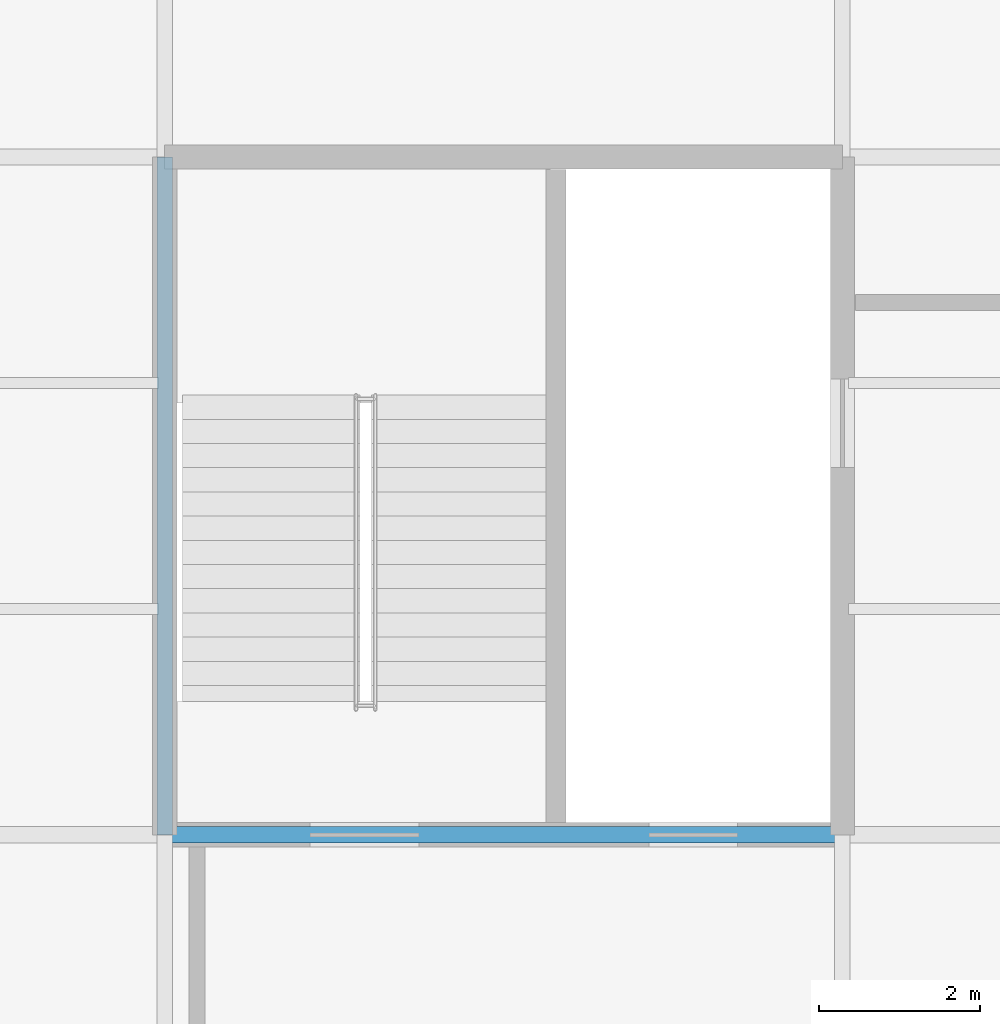
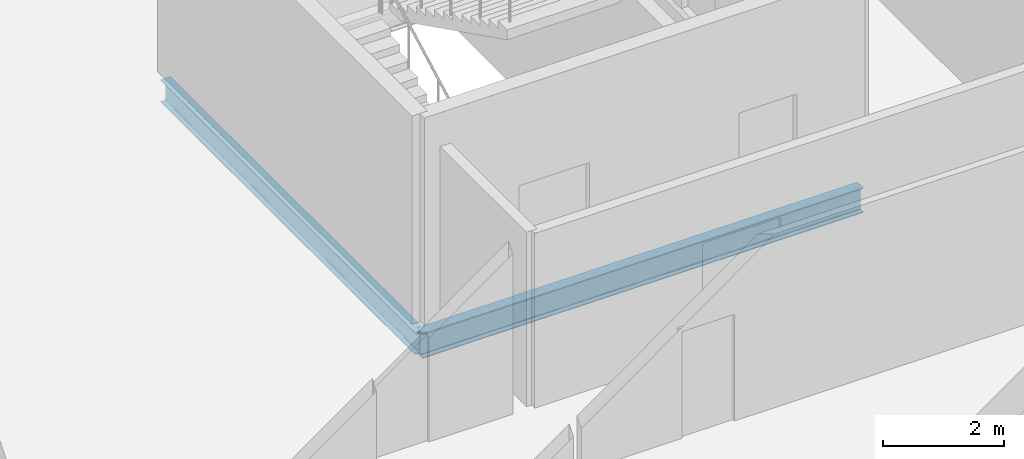
# One storey, part 27 of 163: 2 beams.
"""IFC4 building model written with IfcOpenShell, lengths in metres."""

from ifc_helpers import new_model, si_unit, direction, frame, origin, origin_2d, place, context, subcontext, project, spatial, i_section, extrude, material, material_profile, profile_set, type_object, element, save


model = new_model("IFC4")

# Units and contexts
model_context = context("Model", 3, precision=1e-05, world=origin(), true_north=direction((0.0, 1.0)))
body_context = subcontext(model_context, "Body", "Model", "MODEL_VIEW")
ifc_project = project(units=[si_unit("LENGTHUNIT", "METRE"), si_unit("AREAUNIT", "SQUARE_METRE"), si_unit("VOLUMEUNIT", "CUBIC_METRE"), si_unit("PLANEANGLEUNIT", "RADIAN"), si_unit("MASSUNIT", "GRAM", prefix="KILO")], contexts=[model_context])

# Site, building, storey
site_placement = place(None, origin())
site = spatial("IfcSite", under=ifc_project, at=site_placement, CompositionType="ELEMENT")
building_placement = place(site_placement, origin())
building = spatial("IfcBuilding", under=site, at=building_placement, Name="Qalvenar Corner Mobility Hub", CompositionType="ELEMENT")
storey_placement = place(building_placement, frame((0.0, 0.0, 4.800048828125)))
storey = spatial("IfcBuildingStorey", under=building, at=storey_placement, Name="L01", CompositionType="ELEMENT", Elevation=4.800048828125)

# Beams
ifc_material = material(Name="Steel S355", Category="steel")
ifc_material_profile_1 = material_profile(ifc_material, i_section(OverallWidth=0.18994140625, OverallDepth=0.449951171875, WebThickness=0.009521484375, FlangeThickness=0.0146484375, FilletRadius=0.02099609375, at=origin_2d()), Name="IPE450")
ifc_profile_set_1 = profile_set([ifc_material_profile_1], Name="Steel S355")
beam_type_1 = type_object("IfcBeamType", Name="BM-IPE450", PredefinedType="BEAM", material=ifc_profile_set_1)
beam_1_placement = place(storey_placement, frame((8.39990234375, 8.39990234375, -0.405029296875), z_axis=(0.0, 1.0, 0.0), x_axis=(-1.0, 0.0, 0.0)))
element("IfcBeam", 1, at=beam_1_placement, inside=storey, type_object=beam_type_1, Name="Primary Steel Girder GY-0857", PredefinedType="BEAM", context=body_context, shape_type="SweptSolid", body=[
    extrude(i_section(OverallWidth=0.18994140625, OverallDepth=0.449951171875, WebThickness=0.009521484375, FlangeThickness=0.0146484375, FilletRadius=0.02099609375, at=origin_2d()), origin(), (0.0, 0.0, 1.0), 8.400146484375),
])
ifc_material_profile_2 = material_profile(ifc_material, i_section(OverallWidth=0.199951171875, OverallDepth=0.5, WebThickness=0.01025390625, FlangeThickness=0.01611328125, FilletRadius=0.02099609375, at=origin_2d()), Name="IPE500")
ifc_profile_set_2 = profile_set([ifc_material_profile_2], Name="Steel S355")
beam_type_2 = type_object("IfcBeamType", Name="BM-IPE500", PredefinedType="BEAM", material=ifc_profile_set_2)
beam_2_placement = place(storey_placement, frame((8.39990234375, 8.39990234375, -0.429931640625), z_axis=(1.0, 0.0, 0.0), x_axis=(0.0, 1.0, 0.0)))
element("IfcBeam", 2, at=beam_2_placement, inside=storey, type_object=beam_type_2, Name="Primary Steel Girder GX-0822", PredefinedType="BEAM", context=body_context, shape_type="SweptSolid", body=[
    extrude(i_section(OverallWidth=0.199951171875, OverallDepth=0.5, WebThickness=0.01025390625, FlangeThickness=0.01611328125, FilletRadius=0.02099609375, at=origin_2d()), origin(), (0.0, 0.0, 1.0), 8.400146484375),
])

save(model, "model.ifc")
